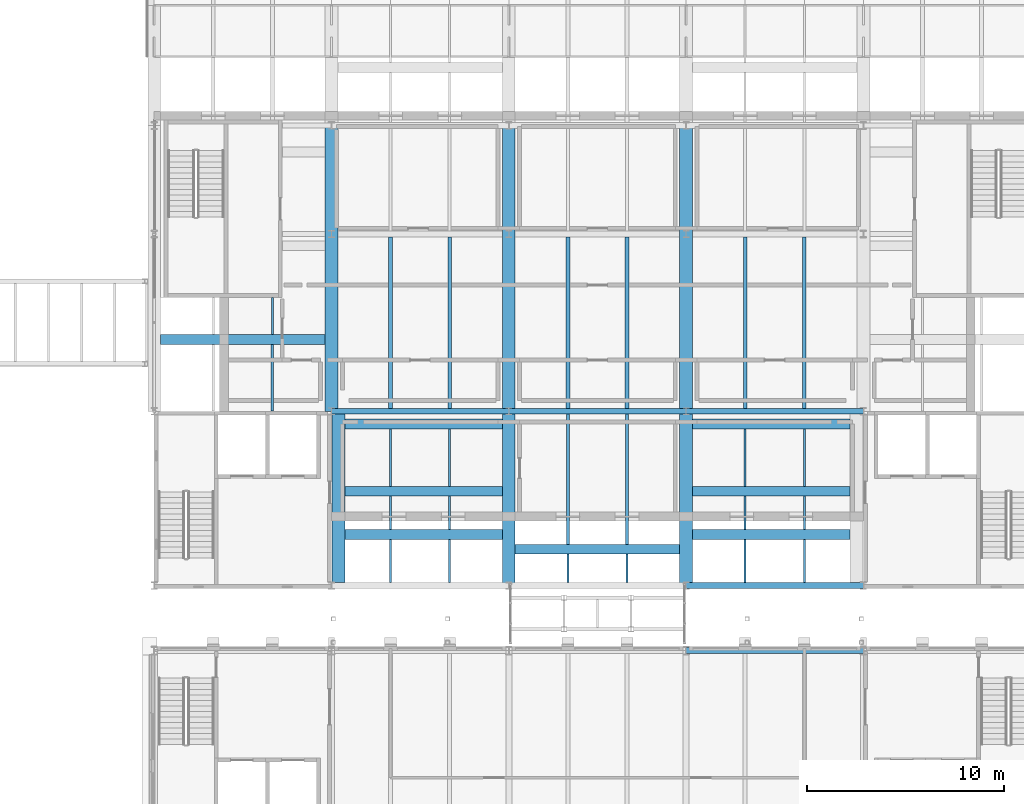
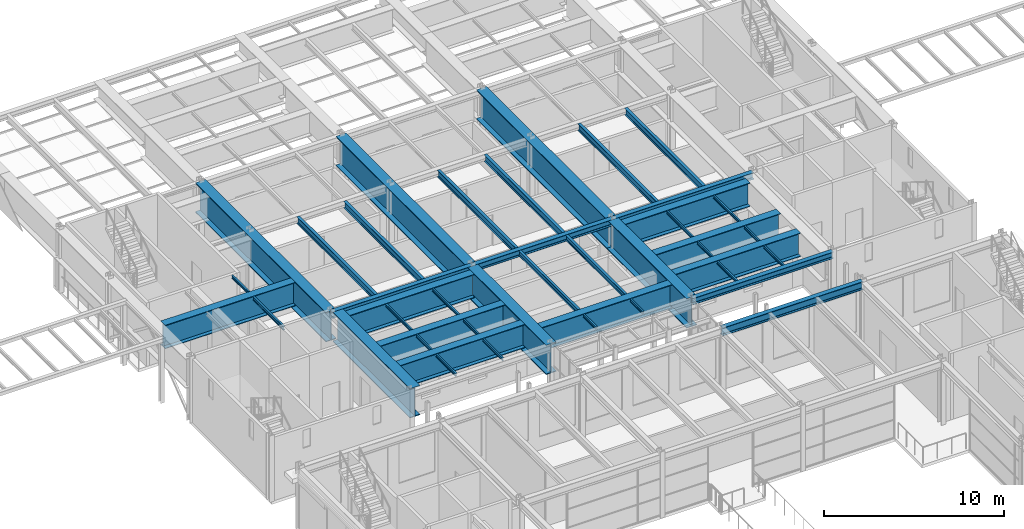
# One storey, part 66 of 153: 43 beams.
"""IFC4 building model written with IfcOpenShell, lengths in metres."""

from ifc_helpers import new_model, si_unit, direction, frame, origin, origin_2d, place, context, subcontext, project, spatial, i_section, extrude, material, material_profile, profile_set, type_object, element, save


model = new_model("IFC4")

# Units and contexts
model_context = context("Model", 3, precision=1e-05, world=origin(), true_north=direction((0.0, 1.0)))
body_context = subcontext(model_context, "Body", "Model", "MODEL_VIEW")
ifc_project = project(units=[si_unit("LENGTHUNIT", "METRE"), si_unit("AREAUNIT", "SQUARE_METRE"), si_unit("VOLUMEUNIT", "CUBIC_METRE"), si_unit("PLANEANGLEUNIT", "RADIAN"), si_unit("MASSUNIT", "GRAM", prefix="KILO")], contexts=[model_context])

# Site, building, storey
site_placement = place(None, origin())
site = spatial("IfcSite", under=ifc_project, at=site_placement, CompositionType="ELEMENT")
building_placement = place(site_placement, origin())
building = spatial("IfcBuilding", under=site, at=building_placement, Name="Kallimachos Central Library", CompositionType="ELEMENT")
storey_placement = place(building_placement, frame((0.0, 0.0, 5.39990234375)))
storey = spatial("IfcBuildingStorey", under=building, at=storey_placement, Name="L01", CompositionType="ELEMENT", Elevation=5.39990234375)

# Beams
ifc_material_1 = material(Name="Steel S355J2", Category="steel")
ifc_material_profile_1 = material_profile(ifc_material_1, i_section(OverallWidth=0.300048828125, OverallDepth=0.43994140625, WebThickness=0.011474609375, FlangeThickness=0.02099609375, FilletRadius=0.027099609375, at=origin_2d()), Name="HEA 450")
ifc_profile_set_1 = profile_set([ifc_material_profile_1], Name="Steel S355J2")
beam_type_1 = type_object("IfcBeamType", Name="HEA 450 beam", PredefinedType="BEAM", material=ifc_profile_set_1)
for number, where, z_axis, x_axis, name in (
    (1, (92.5, 87.14990234375, 4.080078125), (1.0, 0.0, 0.0), (0.0, 1.0, 0.0), "V1-BEM-L01-045"),
    (2, (74.5, 96.0, 4.080078125), (1.0, 0.0, 0.0), (0.0, 1.0, 0.0), "V1-BEM-L01-046"),
    (3, (83.5, 96.0, 4.080078125), (1.0, 0.0, 0.0), (0.0, 1.0, 0.0), "V1-BEM-L01-047"),
    (4, (92.5, 96.0, 4.080078125), (1.0, 0.0, 0.0), (0.0, 1.0, 0.0), "V1-BEM-L01-048"),
):
    element("IfcBeam", number, at=place(storey_placement, frame(where, z_axis=z_axis, x_axis=x_axis)), inside=storey, type_object=beam_type_1, Name=name, PredefinedType="BEAM", context=body_context, shape_type="SweptSolid", body=[
        extrude(i_section(OverallWidth=0.300048828125, OverallDepth=0.43994140625, WebThickness=0.011474609375, FlangeThickness=0.02099609375, FilletRadius=0.027099609375, at=origin_2d()), origin(), (0.0, 0.0, 1.0), 9.0),
    ])
ifc_material_2 = material(Name="Steel S355J2", Category="steel")
ifc_material_profile_2 = material_profile(ifc_material_2, i_section(OverallWidth=0.300048828125, OverallDepth=0.550048828125, WebThickness=0.014892578125, FlangeThickness=0.029052734375, FilletRadius=0.027099609375, at=origin_2d()), Name="HEB 550")
ifc_profile_set_2 = profile_set([ifc_material_profile_2], Name="Steel S355J2")
beam_type_2 = type_object("IfcBeamType", Name="HEB 550 beam", PredefinedType="BEAM", material=ifc_profile_set_2)
beam_1_placement = place(storey_placement, frame((92.5, 83.85009765625, 4.025146484375), z_axis=(1.0, 0.0, 0.0), x_axis=(0.0, 1.0, 0.0)))
element("IfcBeam", 5, at=beam_1_placement, inside=storey, type_object=beam_type_2, Name="V4-BEM-L01-007", PredefinedType="BEAM", context=body_context, shape_type="SweptSolid", body=[
    extrude(i_section(OverallWidth=0.300048828125, OverallDepth=0.550048828125, WebThickness=0.014892578125, FlangeThickness=0.029052734375, FilletRadius=0.027099609375, at=origin_2d()), origin(), (0.0, 0.0, 1.0), 9.0),
])
ifc_material_3 = material(Name="Steel S355J2", Category="steel")
ifc_material_profile_3 = material_profile(ifc_material_3, i_section(OverallWidth=0.10009765625, OverallDepth=0.199951171875, WebThickness=0.005615234375, FlangeThickness=0.008544921875, FilletRadius=0.011962890625, at=origin_2d()), Name="IPE 200")
ifc_profile_set_3 = profile_set([ifc_material_profile_3], Name="Steel S355J2")
beam_type_3 = type_object("IfcBeamType", Name="IPE 200 beam", PredefinedType="BEAM", material=ifc_profile_set_3)
beam_2_placement = place(storey_placement, frame((71.5, 99.89111328125, 4.2001953125), z_axis=(0.0, 1.0, 0.0), x_axis=(-1.0, 0.0, 0.0)))
element("IfcBeam", 6, at=beam_2_placement, inside=storey, type_object=beam_type_3, Name="V1-BEM-L01-068", PredefinedType="BEAM", context=body_context, shape_type="SweptSolid", body=[
    extrude(i_section(OverallWidth=0.10009765625, OverallDepth=0.199951171875, WebThickness=0.005615234375, FlangeThickness=0.008544921875, FilletRadius=0.011962890625, at=origin_2d()), origin(), (0.0, 0.0, 1.0), 1.87890625),
])
beam_3_placement = place(storey_placement, frame((77.5, 87.300048828125, 4.2001953125), z_axis=(0.0, 1.0, 0.0), x_axis=(-1.0, 0.0, 0.0)))
element("IfcBeam", 7, at=beam_3_placement, inside=storey, type_object=beam_type_3, Name="V1-BEM-L01-070", PredefinedType="BEAM", context=body_context, shape_type="SweptSolid", body=[
    extrude(i_section(OverallWidth=0.10009765625, OverallDepth=0.199951171875, WebThickness=0.005615234375, FlangeThickness=0.008544921875, FilletRadius=0.011962890625, at=origin_2d()), origin(), (0.0, 0.0, 1.0), 2.20361328125),
])
beam_4_placement = place(storey_placement, frame((77.5, 90.003662109375, 4.2001953125), z_axis=(0.0, 1.0, 0.0), x_axis=(-1.0, 0.0, 0.0)))
element("IfcBeam", 8, at=beam_4_placement, inside=storey, type_object=beam_type_3, Name="V1-BEM-L01-071", PredefinedType="BEAM", context=body_context, shape_type="SweptSolid", body=[
    extrude(i_section(OverallWidth=0.10009765625, OverallDepth=0.199951171875, WebThickness=0.005615234375, FlangeThickness=0.008544921875, FilletRadius=0.011962890625, at=origin_2d()), origin(), (0.0, 0.0, 1.0), 1.6875),
])
beam_5_placement = place(storey_placement, frame((77.5, 92.191162109375, 4.2001953125), z_axis=(0.0, 1.0, 0.0), x_axis=(-1.0, 0.0, 0.0)))
element("IfcBeam", 9, at=beam_5_placement, inside=storey, type_object=beam_type_3, Name="V1-BEM-L01-072", PredefinedType="BEAM", context=body_context, shape_type="SweptSolid", body=[
    extrude(i_section(OverallWidth=0.10009765625, OverallDepth=0.199951171875, WebThickness=0.005615234375, FlangeThickness=0.008544921875, FilletRadius=0.011962890625, at=origin_2d()), origin(), (0.0, 0.0, 1.0), 2.906982421875),
])
beam_6_placement = place(storey_placement, frame((80.5, 87.300048828125, 4.2001953125), z_axis=(0.0, 1.0, 0.0), x_axis=(-1.0, 0.0, 0.0)))
element("IfcBeam", 10, at=beam_6_placement, inside=storey, type_object=beam_type_3, Name="V1-BEM-L01-079", PredefinedType="BEAM", context=body_context, shape_type="SweptSolid", body=[
    extrude(i_section(OverallWidth=0.10009765625, OverallDepth=0.199951171875, WebThickness=0.005615234375, FlangeThickness=0.008544921875, FilletRadius=0.011962890625, at=origin_2d()), origin(), (0.0, 0.0, 1.0), 2.20361328125),
])
beam_7_placement = place(storey_placement, frame((80.5, 90.003662109375, 4.2001953125), z_axis=(0.0, 1.0, 0.0), x_axis=(-1.0, 0.0, 0.0)))
element("IfcBeam", 11, at=beam_7_placement, inside=storey, type_object=beam_type_3, Name="V1-BEM-L01-080", PredefinedType="BEAM", context=body_context, shape_type="SweptSolid", body=[
    extrude(i_section(OverallWidth=0.10009765625, OverallDepth=0.199951171875, WebThickness=0.005615234375, FlangeThickness=0.008544921875, FilletRadius=0.011962890625, at=origin_2d()), origin(), (0.0, 0.0, 1.0), 1.6875),
])
beam_8_placement = place(storey_placement, frame((80.5, 92.191162109375, 4.2001953125), z_axis=(0.0, 1.0, 0.0), x_axis=(-1.0, 0.0, 0.0)))
element("IfcBeam", 12, at=beam_8_placement, inside=storey, type_object=beam_type_3, Name="V1-BEM-L01-081", PredefinedType="BEAM", context=body_context, shape_type="SweptSolid", body=[
    extrude(i_section(OverallWidth=0.10009765625, OverallDepth=0.199951171875, WebThickness=0.005615234375, FlangeThickness=0.008544921875, FilletRadius=0.011962890625, at=origin_2d()), origin(), (0.0, 0.0, 1.0), 2.906982421875),
])
for number, where, z_axis, x_axis, name in (
    (13, (86.5, 87.300048828125, 4.2001953125), (0.0, 1.0, 0.0), (-1.0, 0.0, 0.0), "V1-BEM-L01-088"),
    (14, (89.5, 87.300048828125, 4.2001953125), (0.0, 1.0, 0.0), (-1.0, 0.0, 0.0), "V1-BEM-L01-094"),
):
    element("IfcBeam", number, at=place(storey_placement, frame(where, z_axis=z_axis, x_axis=x_axis)), inside=storey, type_object=beam_type_3, Name=name, PredefinedType="BEAM", context=body_context, shape_type="SweptSolid", body=[
        extrude(i_section(OverallWidth=0.10009765625, OverallDepth=0.199951171875, WebThickness=0.005615234375, FlangeThickness=0.008544921875, FilletRadius=0.011962890625, at=origin_2d()), origin(), (0.0, 0.0, 1.0), 1.449951171875),
    ])
beam_9_placement = place(storey_placement, frame((95.5, 87.300048828125, 4.2001953125), z_axis=(0.0, 1.0, 0.0), x_axis=(-1.0, 0.0, 0.0)))
element("IfcBeam", 15, at=beam_9_placement, inside=storey, type_object=beam_type_3, Name="V1-BEM-L01-100", PredefinedType="BEAM", context=body_context, shape_type="SweptSolid", body=[
    extrude(i_section(OverallWidth=0.10009765625, OverallDepth=0.199951171875, WebThickness=0.005615234375, FlangeThickness=0.008544921875, FilletRadius=0.011962890625, at=origin_2d()), origin(), (0.0, 0.0, 1.0), 2.20361328125),
])
beam_10_placement = place(storey_placement, frame((95.5, 90.003662109375, 4.2001953125), z_axis=(0.0, 1.0, 0.0), x_axis=(-1.0, 0.0, 0.0)))
element("IfcBeam", 16, at=beam_10_placement, inside=storey, type_object=beam_type_3, Name="V1-BEM-L01-101", PredefinedType="BEAM", context=body_context, shape_type="SweptSolid", body=[
    extrude(i_section(OverallWidth=0.10009765625, OverallDepth=0.199951171875, WebThickness=0.005615234375, FlangeThickness=0.008544921875, FilletRadius=0.011962890625, at=origin_2d()), origin(), (0.0, 0.0, 1.0), 1.6875),
])
beam_11_placement = place(storey_placement, frame((95.5, 92.191162109375, 4.2001953125), z_axis=(0.0, 1.0, 0.0), x_axis=(-1.0, 0.0, 0.0)))
element("IfcBeam", 17, at=beam_11_placement, inside=storey, type_object=beam_type_3, Name="V1-BEM-L01-102", PredefinedType="BEAM", context=body_context, shape_type="SweptSolid", body=[
    extrude(i_section(OverallWidth=0.10009765625, OverallDepth=0.199951171875, WebThickness=0.005615234375, FlangeThickness=0.008544921875, FilletRadius=0.011962890625, at=origin_2d()), origin(), (0.0, 0.0, 1.0), 2.906982421875),
])
beam_12_placement = place(storey_placement, frame((98.5, 87.300048828125, 4.2001953125), z_axis=(0.0, 1.0, 0.0), x_axis=(-1.0, 0.0, 0.0)))
element("IfcBeam", 18, at=beam_12_placement, inside=storey, type_object=beam_type_3, Name="V1-BEM-L01-109", PredefinedType="BEAM", context=body_context, shape_type="SweptSolid", body=[
    extrude(i_section(OverallWidth=0.10009765625, OverallDepth=0.199951171875, WebThickness=0.005615234375, FlangeThickness=0.008544921875, FilletRadius=0.011962890625, at=origin_2d()), origin(), (0.0, 0.0, 1.0), 2.20361328125),
])
beam_13_placement = place(storey_placement, frame((98.5, 90.003662109375, 4.2001953125), z_axis=(0.0, 1.0, 0.0), x_axis=(-1.0, 0.0, 0.0)))
element("IfcBeam", 19, at=beam_13_placement, inside=storey, type_object=beam_type_3, Name="V1-BEM-L01-110", PredefinedType="BEAM", context=body_context, shape_type="SweptSolid", body=[
    extrude(i_section(OverallWidth=0.10009765625, OverallDepth=0.199951171875, WebThickness=0.005615234375, FlangeThickness=0.008544921875, FilletRadius=0.011962890625, at=origin_2d()), origin(), (0.0, 0.0, 1.0), 1.6875),
])
beam_14_placement = place(storey_placement, frame((98.5, 92.191162109375, 4.2001953125), z_axis=(0.0, 1.0, 0.0), x_axis=(-1.0, 0.0, 0.0)))
element("IfcBeam", 20, at=beam_14_placement, inside=storey, type_object=beam_type_3, Name="V1-BEM-L01-111", PredefinedType="BEAM", context=body_context, shape_type="SweptSolid", body=[
    extrude(i_section(OverallWidth=0.10009765625, OverallDepth=0.199951171875, WebThickness=0.005615234375, FlangeThickness=0.008544921875, FilletRadius=0.011962890625, at=origin_2d()), origin(), (0.0, 0.0, 1.0), 2.906982421875),
])
ifc_material_4 = material(Name="Steel S355J2", Category="steel")
ifc_material_profile_4 = material_profile(ifc_material_4, i_section(OverallWidth=0.1201171875, OverallDepth=0.239990234375, WebThickness=0.006103515625, FlangeThickness=0.009765625, FilletRadius=0.014892578125, at=origin_2d()), Name="IPE 240")
ifc_profile_set_4 = profile_set([ifc_material_profile_4], Name="Steel S355J2")
beam_type_4 = type_object("IfcBeamType", Name="IPE 240 beam", PredefinedType="BEAM", material=ifc_profile_set_4)
beam_15_placement = place(storey_placement, frame((71.5, 96.0048828125, 4.18017578125), z_axis=(0.0, 1.0, 0.0), x_axis=(-1.0, 0.0, 0.0)))
element("IfcBeam", 21, at=beam_15_placement, inside=storey, type_object=beam_type_4, Name="V1-BEM-L01-067", PredefinedType="BEAM", context=body_context, shape_type="SweptSolid", body=[
    extrude(i_section(OverallWidth=0.1201171875, OverallDepth=0.239990234375, WebThickness=0.006103515625, FlangeThickness=0.009765625, FilletRadius=0.014892578125, at=origin_2d()), origin(), (0.0, 0.0, 1.0), 3.38623046875),
])
ifc_material_5 = material(Name="Steel S355J2", Category="steel")
ifc_material_profile_5 = material_profile(ifc_material_5, i_section(OverallWidth=0.159912109375, OverallDepth=0.330078125, WebThickness=0.007568359375, FlangeThickness=0.011474609375, FilletRadius=0.01806640625, at=origin_2d()), Name="IPE 330")
ifc_profile_set_5 = profile_set([ifc_material_profile_5], Name="Steel S355J2")
beam_type_5 = type_object("IfcBeamType", Name="IPE 330 beam", PredefinedType="BEAM", material=ifc_profile_set_5)
for number, where, z_axis, x_axis, name in (
    (22, (86.5, 89.25, 4.135009765625), (0.0, 1.0, 0.0), (-1.0, 0.0, 0.0), "V1-BEM-L01-089"),
    (23, (89.5, 89.25, 4.135009765625), (0.0, 1.0, 0.0), (-1.0, 0.0, 0.0), "V1-BEM-L01-095"),
):
    element("IfcBeam", number, at=place(storey_placement, frame(where, z_axis=z_axis, x_axis=x_axis)), inside=storey, type_object=beam_type_5, Name=name, PredefinedType="BEAM", context=body_context, shape_type="SweptSolid", body=[
        extrude(i_section(OverallWidth=0.159912109375, OverallDepth=0.330078125, WebThickness=0.007568359375, FlangeThickness=0.011474609375, FilletRadius=0.01806640625, at=origin_2d()), origin(), (0.0, 0.0, 1.0), 6.60009765625),
    ])
ifc_material_6 = material(Name="Steel S355J2", Category="steel")
ifc_material_profile_6 = material_profile(ifc_material_6, i_section(OverallWidth=0.18994140625, OverallDepth=0.449951171875, WebThickness=0.009521484375, FlangeThickness=0.0146484375, FilletRadius=0.02099609375, at=origin_2d()), Name="IPE 450")
ifc_profile_set_6 = profile_set([ifc_material_profile_6], Name="Steel S355J2")
beam_type_6 = type_object("IfcBeamType", Name="IPE 450 beam", PredefinedType="BEAM", material=ifc_profile_set_6)
for number, where, z_axis, x_axis, name in (
    (24, (77.5, 96.14990234375, 4.0751953125), (0.0, 1.0, 0.0), (-1.0, 0.0, 0.0), "V1-BEM-L01-073"),
    (25, (80.5, 96.14990234375, 4.0751953125), (0.0, 1.0, 0.0), (-1.0, 0.0, 0.0), "V1-BEM-L01-082"),
    (26, (86.5, 96.14990234375, 4.0751953125), (0.0, 1.0, 0.0), (-1.0, 0.0, 0.0), "V1-BEM-L01-090"),
    (27, (89.5, 96.14990234375, 4.0751953125), (0.0, 1.0, 0.0), (-1.0, 0.0, 0.0), "V1-BEM-L01-096"),
    (28, (95.5, 96.14990234375, 4.0751953125), (0.0, 1.0, 0.0), (-1.0, 0.0, 0.0), "V1-BEM-L01-103"),
    (29, (98.5, 96.14990234375, 4.0751953125), (0.0, 1.0, 0.0), (-1.0, 0.0, 0.0), "V1-BEM-L01-112"),
):
    element("IfcBeam", number, at=place(storey_placement, frame(where, z_axis=z_axis, x_axis=x_axis)), inside=storey, type_object=beam_type_6, Name=name, PredefinedType="BEAM", context=body_context, shape_type="SweptSolid", body=[
        extrude(i_section(OverallWidth=0.18994140625, OverallDepth=0.449951171875, WebThickness=0.009521484375, FlangeThickness=0.0146484375, FilletRadius=0.02099609375, at=origin_2d()), origin(), (0.0, 0.0, 1.0), 8.7001953125),
    ])
ifc_material_7 = material(Name="Steel S355K2", Category="steel")
ifc_material_profile_7 = material_profile(ifc_material_7, i_section(OverallWidth=0.64990234375, OverallDepth=2.0, WebThickness=0.034912109375, FlangeThickness=0.054931640625, at=origin_2d()), Name="PG 2000x650-35/55")
ifc_profile_set_7 = profile_set([ifc_material_profile_7], Name="Steel S355K2")
beam_type_7 = type_object("IfcBeamType", Name="PG 2000x650-35/55 beam", PredefinedType="BEAM", material=ifc_profile_set_7)
beam_16_placement = place(storey_placement, frame((74.85009765625, 87.300048828125, 3.300048828125), z_axis=(0.0, 1.0, 0.0), x_axis=(-1.0, 0.0, 0.0)))
element("IfcBeam", 30, at=beam_16_placement, inside=storey, type_object=beam_type_7, Name="V1-BEM-L01-024", PredefinedType="BEAM", context=body_context, shape_type="SweptSolid", body=[
    extrude(i_section(OverallWidth=0.64990234375, OverallDepth=2.0, WebThickness=0.034912109375, FlangeThickness=0.054931640625, at=origin_2d()), origin(), (0.0, 0.0, 1.0), 8.550048828125),
])
beam_17_placement = place(storey_placement, frame((74.5, 96.0, 3.300048828125), z_axis=(0.0, 1.0, 0.0), x_axis=(-1.0, 0.0, 0.0)))
element("IfcBeam", 31, at=beam_17_placement, inside=storey, type_object=beam_type_7, Name="V1-BEM-L01-025", PredefinedType="BEAM", context=body_context, shape_type="SweptSolid", body=[
    extrude(i_section(OverallWidth=0.64990234375, OverallDepth=2.0, WebThickness=0.034912109375, FlangeThickness=0.054931640625, at=origin_2d()), origin(), (0.0, 0.0, 1.0), 14.5),
])
beam_18_placement = place(storey_placement, frame((83.5, 87.14990234375, 3.300048828125), z_axis=(0.0, 1.0, 0.0), x_axis=(-1.0, 0.0, 0.0)))
element("IfcBeam", 32, at=beam_18_placement, inside=storey, type_object=beam_type_7, Name="V1-BEM-L01-028", PredefinedType="BEAM", context=body_context, shape_type="SweptSolid", body=[
    extrude(i_section(OverallWidth=0.64990234375, OverallDepth=2.0, WebThickness=0.034912109375, FlangeThickness=0.054931640625, at=origin_2d()), origin(), (0.0, 0.0, 1.0), 8.85009765625),
])
beam_19_placement = place(storey_placement, frame((83.5, 96.0, 3.300048828125), z_axis=(0.0, 1.0, 0.0), x_axis=(-1.0, 0.0, 0.0)))
element("IfcBeam", 33, at=beam_19_placement, inside=storey, type_object=beam_type_7, Name="V1-BEM-L01-029", PredefinedType="BEAM", context=body_context, shape_type="SweptSolid", body=[
    extrude(i_section(OverallWidth=0.64990234375, OverallDepth=2.0, WebThickness=0.034912109375, FlangeThickness=0.054931640625, at=origin_2d()), origin(), (0.0, 0.0, 1.0), 14.5),
])
beam_20_placement = place(storey_placement, frame((92.5, 87.14990234375, 3.300048828125), z_axis=(0.0, 1.0, 0.0), x_axis=(-1.0, 0.0, 0.0)))
element("IfcBeam", 34, at=beam_20_placement, inside=storey, type_object=beam_type_7, Name="V1-BEM-L01-032", PredefinedType="BEAM", context=body_context, shape_type="SweptSolid", body=[
    extrude(i_section(OverallWidth=0.64990234375, OverallDepth=2.0, WebThickness=0.034912109375, FlangeThickness=0.054931640625, at=origin_2d()), origin(), (0.0, 0.0, 1.0), 8.85009765625),
])
beam_21_placement = place(storey_placement, frame((92.5, 96.0, 3.300048828125), z_axis=(0.0, 1.0, 0.0), x_axis=(-1.0, 0.0, 0.0)))
element("IfcBeam", 35, at=beam_21_placement, inside=storey, type_object=beam_type_7, Name="V1-BEM-L01-033", PredefinedType="BEAM", context=body_context, shape_type="SweptSolid", body=[
    extrude(i_section(OverallWidth=0.64990234375, OverallDepth=2.0, WebThickness=0.034912109375, FlangeThickness=0.054931640625, at=origin_2d()), origin(), (0.0, 0.0, 1.0), 14.5),
])
ifc_material_8 = material(Name="Steel S355K2", Category="steel")
ifc_material_profile_8 = material_profile(ifc_material_8, i_section(OverallWidth=0.5, OverallDepth=1.60009765625, WebThickness=0.02490234375, FlangeThickness=0.0400390625, at=origin_2d()), Name="PG 1600x500-25/40")
ifc_profile_set_8 = profile_set([ifc_material_profile_8], Name="Steel S355K2")
beam_type_8 = type_object("IfcBeamType", Name="Transfer girder PG 1600", PredefinedType="BEAM", material=ifc_profile_set_8)
beam_22_placement = place(storey_placement, frame((65.824951171875, 99.64111328125, 3.5), z_axis=(1.0, 0.0, 0.0), x_axis=(0.0, 1.0, 0.0)))
element("IfcBeam", 36, at=beam_22_placement, inside=storey, type_object=beam_type_8, Name="V1-BEM-L01-012", PredefinedType="BEAM", context=body_context, shape_type="SweptSolid", body=[
    extrude(i_section(OverallWidth=0.5, OverallDepth=1.60009765625, WebThickness=0.02490234375, FlangeThickness=0.0400390625, at=origin_2d()), origin(), (0.0, 0.0, 1.0), 8.35009765625),
])
for number, where, z_axis, x_axis, name in (
    (37, (75.175048828125, 95.34814453125, 3.5), (1.0, 0.0, 0.0), (0.0, 1.0, 0.0), "V1-BEM-L01-013"),
    (38, (75.175048828125, 91.941162109375, 3.5), (1.0, 0.0, 0.0), (0.0, 1.0, 0.0), "V1-BEM-L01-014"),
    (39, (75.175048828125, 89.753662109375, 3.5), (1.0, 0.0, 0.0), (0.0, 1.0, 0.0), "V1-BEM-L01-015"),
):
    element("IfcBeam", number, at=place(storey_placement, frame(where, z_axis=z_axis, x_axis=x_axis)), inside=storey, type_object=beam_type_8, Name=name, PredefinedType="BEAM", context=body_context, shape_type="SweptSolid", body=[
        extrude(i_section(OverallWidth=0.5, OverallDepth=1.60009765625, WebThickness=0.02490234375, FlangeThickness=0.0400390625, at=origin_2d()), origin(), (0.0, 0.0, 1.0), 8.0),
    ])
beam_23_placement = place(storey_placement, frame((83.824951171875, 89.0, 3.5), z_axis=(1.0, 0.0, 0.0), x_axis=(0.0, 1.0, 0.0)))
element("IfcBeam", 40, at=beam_23_placement, inside=storey, type_object=beam_type_8, Name="V1-BEM-L01-016", PredefinedType="BEAM", context=body_context, shape_type="SweptSolid", body=[
    extrude(i_section(OverallWidth=0.5, OverallDepth=1.60009765625, WebThickness=0.02490234375, FlangeThickness=0.0400390625, at=origin_2d()), origin(), (0.0, 0.0, 1.0), 8.35009765625),
])
for number, where, z_axis, x_axis, name in (
    (41, (92.824951171875, 89.753662109375, 3.5), (1.0, 0.0, 0.0), (0.0, 1.0, 0.0), "V1-BEM-L01-017"),
    (42, (92.824951171875, 91.941162109375, 3.5), (1.0, 0.0, 0.0), (0.0, 1.0, 0.0), "V1-BEM-L01-018"),
    (43, (92.824951171875, 95.34814453125, 3.5), (1.0, 0.0, 0.0), (0.0, 1.0, 0.0), "V1-BEM-L01-019"),
):
    element("IfcBeam", number, at=place(storey_placement, frame(where, z_axis=z_axis, x_axis=x_axis)), inside=storey, type_object=beam_type_8, Name=name, PredefinedType="BEAM", context=body_context, shape_type="SweptSolid", body=[
        extrude(i_section(OverallWidth=0.5, OverallDepth=1.60009765625, WebThickness=0.02490234375, FlangeThickness=0.0400390625, at=origin_2d()), origin(), (0.0, 0.0, 1.0), 8.0),
    ])

save(model, "model.ifc")
